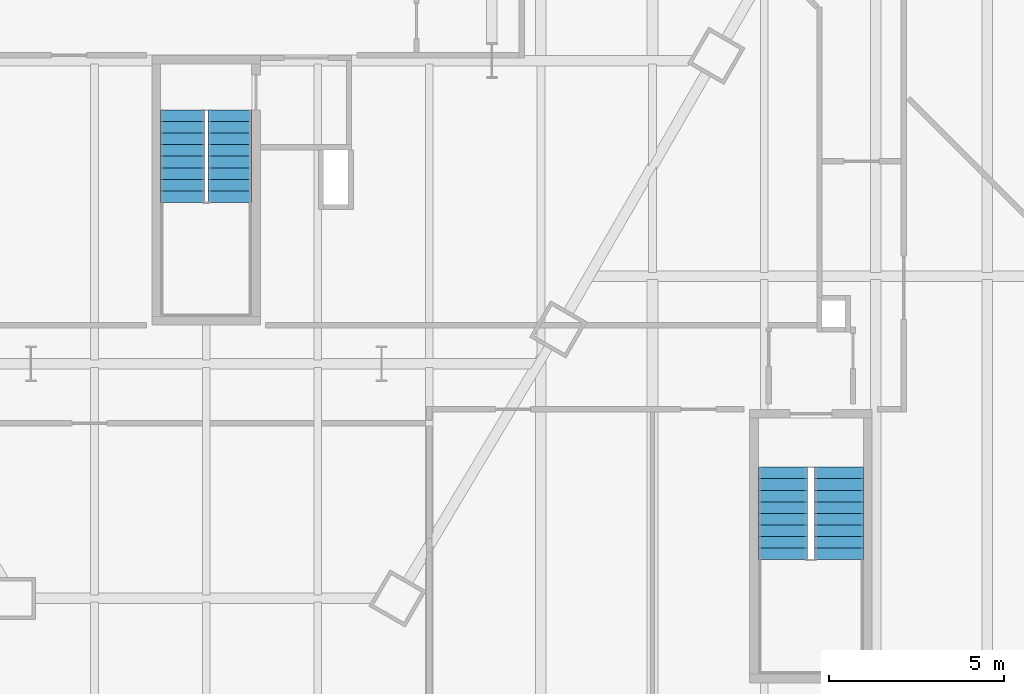
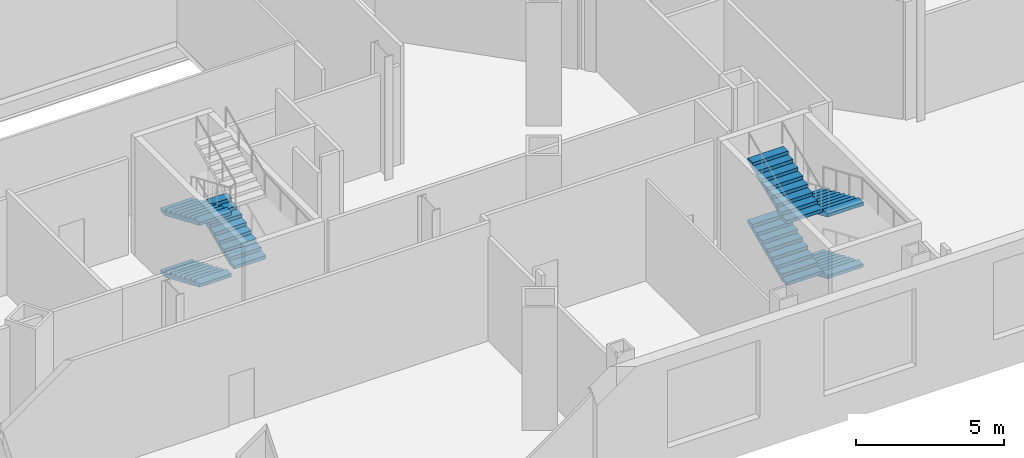
# One storey, part 17 of 21: 7 stair flights, 2 elements without a shape of their own.
"""IFC4 building model written with IfcOpenShell, lengths in metres."""

from ifc_helpers import new_model, si_unit, direction, frame, origin, place, context, subcontext, project, spatial, polygons, material, type_object, element, aggregate, save


model = new_model("IFC4")

# Units and contexts
model_context = context("Model", 3, precision=1e-05, world=origin(), true_north=direction((0.0, 1.0)))
body_context = subcontext(model_context, "Body", "Model", "MODEL_VIEW")
ifc_project = project(units=[si_unit("LENGTHUNIT", "METRE"), si_unit("AREAUNIT", "SQUARE_METRE"), si_unit("VOLUMEUNIT", "CUBIC_METRE"), si_unit("PLANEANGLEUNIT", "RADIAN"), si_unit("MASSUNIT", "GRAM", prefix="KILO")], contexts=[model_context])

# Site, building, storey
site_placement = place(None, origin())
site = spatial("IfcSite", under=ifc_project, at=site_placement, CompositionType="ELEMENT")
building_placement = place(site_placement, origin())
building = spatial("IfcBuilding", under=site, at=building_placement, Name="Njiva Tower", CompositionType="ELEMENT")
storey_placement = place(building_placement, frame((0.0, 0.0, 13.5)))
storey = spatial("IfcBuildingStorey", under=building, at=storey_placement, Name="L02", CompositionType="ELEMENT", Elevation=13.5)

# Stair, stair flights
ifc_material = material(Name="Concrete C40/50", Category="concrete")
stair_type_1 = type_object("IfcStairType", Name="ST1 Exit stair 1250", PredefinedType="HALF_TURN_STAIR", material=ifc_material)
stair_1_placement = place(storey_placement, origin())
stair_1 = element("IfcStair", 1, at=stair_1_placement, inside=storey, type_object=stair_type_1, Name="Stair C", PredefinedType="DOUBLE_RETURN_STAIR")
stair_flight_type_1 = type_object("IfcStairFlightType", Name="FL1 Stair flight 1250", PredefinedType="STRAIGHT", material=ifc_material)
stair_flight_1_placement = place(storey_placement, frame((-0.675, -15.16, 0.0), z_axis=(0.0, 0.0, 1.0), x_axis=(0.0, -1.0, 0.0)))
stair_flight_1 = element("IfcStairFlight", 2, at=stair_flight_1_placement, type_object=stair_flight_type_1, Name="ST-C flight 1", NumberOfRisers=9, NumberOfTreads=8, PredefinedType="STRAIGHT", RiserHeight=0.141666667, TreadLength=0.33, context=body_context, shape_type="Tessellation", body=[
    polygons([(0.0, 0.625, 0.0), (0.0, 0.3125, 0.0), (0.0, 0.0, 0.0), (0.0, -0.3125, 0.0), (0.0, -0.625, 0.0), (0.0, 0.625, 0.1417), (0.0, 0.3125, 0.1417), (0.0, 0.0, 0.1417), (0.0, -0.3125, 0.1417), (0.0, -0.625, 0.1417), (0.33, 0.625, 0.1417), (0.33, 0.3125, 0.1417), (0.33, 0.0, 0.1417), (0.33, -0.3125, 0.1417), (0.33, -0.625, 0.1417), (0.33, 0.625, 0.2833), (0.33, 0.3125, 0.2833), (0.33, 0.0, 0.2833), (0.33, -0.3125, 0.2833), (0.33, -0.625, 0.2833), (0.66, 0.625, 0.2833), (0.66, 0.3125, 0.2833), (0.66, 0.0, 0.2833), (0.66, -0.3125, 0.2833), (0.66, -0.625, 0.2833), (0.66, 0.625, 0.425), (0.66, 0.3125, 0.425), (0.66, 0.0, 0.425), (0.66, -0.3125, 0.425), (0.66, -0.625, 0.425), (0.99, 0.625, 0.425), (0.99, 0.3125, 0.425), (0.99, 0.0, 0.425), (0.99, -0.3125, 0.425), (0.99, -0.625, 0.425), (0.99, 0.625, 0.5667), (0.99, 0.3125, 0.5667), (0.99, 0.0, 0.5667), (0.99, -0.3125, 0.5667), (0.99, -0.625, 0.5667), (1.32, 0.625, 0.5667), (1.32, 0.3125, 0.5667), (1.32, 0.0, 0.5667), (1.32, -0.3125, 0.5667), (1.32, -0.625, 0.5667), (1.32, 0.625, 0.7083), (1.32, 0.3125, 0.7083), (1.32, 0.0, 0.7083), (1.32, -0.3125, 0.7083), (1.32, -0.625, 0.7083), (1.65, 0.625, 0.7083), (1.65, 0.3125, 0.7083), (1.65, 0.0, 0.7083), (1.65, -0.3125, 0.7083), (1.65, -0.625, 0.7083), (1.65, 0.625, 0.85), (1.65, 0.3125, 0.85), (1.65, 0.0, 0.85), (1.65, -0.3125, 0.85), (1.65, -0.625, 0.85), (1.98, 0.625, 0.85), (1.98, 0.3125, 0.85), (1.98, 0.0, 0.85), (1.98, -0.3125, 0.85), (1.98, -0.625, 0.85), (1.98, 0.625, 0.9917), (1.98, 0.3125, 0.9917), (1.98, 0.0, 0.9917), (1.98, -0.3125, 0.9917), (1.98, -0.625, 0.9917), (2.31, 0.625, 0.9917), (2.31, 0.3125, 0.9917), (2.31, 0.0, 0.9917), (2.31, -0.3125, 0.9917), (2.31, -0.625, 0.9917), (2.31, 0.625, 1.1333), (2.31, 0.3125, 1.1333), (2.31, 0.0, 1.1333), (2.31, -0.3125, 1.1333), (2.31, -0.625, 1.1333), (2.64, 0.625, 1.1333), (2.64, 0.3125, 1.1333), (2.64, 0.0, 1.1333), (2.64, -0.3125, 1.1333), (2.64, -0.625, 1.1333), (2.64, 0.625, 1.0027), (2.64, 0.3125, 1.0027), (2.64, 0.0, 1.0027), (2.64, -0.3125, 1.0027), (2.64, -0.625, 1.0027), (0.3042, 0.625, 0.0), (0.3042, 0.3125, 0.0), (0.3042, 0.0, 0.0), (0.3042, -0.3125, 0.0), (0.3042, -0.625, 0.0)], [[[1, 6, 11, 16, 21, 26, 31, 36, 41, 46, 51, 56, 61, 66, 71, 76, 81, 86, 91]], [[95, 90, 85, 80, 75, 70, 65, 60, 55, 50, 45, 40, 35, 30, 25, 20, 15, 10, 5]], [[6, 1, 2, 7]], [[7, 2, 3, 8]], [[8, 3, 4, 9]], [[9, 4, 5, 10]], [[11, 6, 7, 12]], [[12, 7, 8, 13]], [[13, 8, 9, 14]], [[14, 9, 10, 15]], [[16, 11, 12, 17]], [[17, 12, 13, 18]], [[18, 13, 14, 19]], [[19, 14, 15, 20]], [[21, 16, 17, 22]], [[22, 17, 18, 23]], [[23, 18, 19, 24]], [[24, 19, 20, 25]], [[26, 21, 22, 27]], [[27, 22, 23, 28]], [[28, 23, 24, 29]], [[29, 24, 25, 30]], [[31, 26, 27, 32]], [[32, 27, 28, 33]], [[33, 28, 29, 34]], [[34, 29, 30, 35]], [[36, 31, 32, 37]], [[37, 32, 33, 38]], [[38, 33, 34, 39]], [[39, 34, 35, 40]], [[41, 36, 37, 42]], [[42, 37, 38, 43]], [[43, 38, 39, 44]], [[44, 39, 40, 45]], [[46, 41, 42, 47]], [[47, 42, 43, 48]], [[48, 43, 44, 49]], [[49, 44, 45, 50]], [[51, 46, 47, 52]], [[52, 47, 48, 53]], [[53, 48, 49, 54]], [[54, 49, 50, 55]], [[56, 51, 52, 57]], [[57, 52, 53, 58]], [[58, 53, 54, 59]], [[59, 54, 55, 60]], [[61, 56, 57, 62]], [[62, 57, 58, 63]], [[63, 58, 59, 64]], [[64, 59, 60, 65]], [[66, 61, 62, 67]], [[67, 62, 63, 68]], [[68, 63, 64, 69]], [[69, 64, 65, 70]], [[71, 66, 67, 72]], [[72, 67, 68, 73]], [[73, 68, 69, 74]], [[74, 69, 70, 75]], [[76, 71, 72, 77]], [[77, 72, 73, 78]], [[78, 73, 74, 79]], [[79, 74, 75, 80]], [[81, 76, 77, 82]], [[82, 77, 78, 83]], [[83, 78, 79, 84]], [[84, 79, 80, 85]], [[86, 81, 82, 87]], [[87, 82, 83, 88]], [[88, 83, 84, 89]], [[89, 84, 85, 90]], [[91, 86, 87, 92]], [[92, 87, 88, 93]], [[93, 88, 89, 94]], [[94, 89, 90, 95]], [[1, 91, 92, 2]], [[2, 92, 93, 3]], [[3, 93, 94, 4]], [[4, 94, 95, 5]]], closed=True),
])
stair_flight_2_placement = place(storey_placement, frame((0.675, -17.8, 1.275), z_axis=(0.0, 0.0, 1.0), x_axis=(0.0, 1.0, 0.0)))
stair_flight_2 = element("IfcStairFlight", 3, at=stair_flight_2_placement, type_object=stair_flight_type_1, Name="ST-C flight 2", NumberOfRisers=9, NumberOfTreads=8, PredefinedType="STRAIGHT", RiserHeight=0.141666667, TreadLength=0.33, context=body_context, shape_type="Tessellation", body=[
    polygons([(0.0, 0.625, 0.0), (0.0, 0.3125, 0.0), (0.0, 0.0, 0.0), (0.0, -0.3125, 0.0), (0.0, -0.625, 0.0), (0.0, 0.625, 0.1417), (0.0, 0.3125, 0.1417), (0.0, 0.0, 0.1417), (0.0, -0.3125, 0.1417), (0.0, -0.625, 0.1417), (0.33, 0.625, 0.1417), (0.33, 0.3125, 0.1417), (0.33, 0.0, 0.1417), (0.33, -0.3125, 0.1417), (0.33, -0.625, 0.1417), (0.33, 0.625, 0.2833), (0.33, 0.3125, 0.2833), (0.33, 0.0, 0.2833), (0.33, -0.3125, 0.2833), (0.33, -0.625, 0.2833), (0.66, 0.625, 0.2833), (0.66, 0.3125, 0.2833), (0.66, 0.0, 0.2833), (0.66, -0.3125, 0.2833), (0.66, -0.625, 0.2833), (0.66, 0.625, 0.425), (0.66, 0.3125, 0.425), (0.66, 0.0, 0.425), (0.66, -0.3125, 0.425), (0.66, -0.625, 0.425), (0.99, 0.625, 0.425), (0.99, 0.3125, 0.425), (0.99, 0.0, 0.425), (0.99, -0.3125, 0.425), (0.99, -0.625, 0.425), (0.99, 0.625, 0.5667), (0.99, 0.3125, 0.5667), (0.99, 0.0, 0.5667), (0.99, -0.3125, 0.5667), (0.99, -0.625, 0.5667), (1.32, 0.625, 0.5667), (1.32, 0.3125, 0.5667), (1.32, 0.0, 0.5667), (1.32, -0.3125, 0.5667), (1.32, -0.625, 0.5667), (1.32, 0.625, 0.7083), (1.32, 0.3125, 0.7083), (1.32, 0.0, 0.7083), (1.32, -0.3125, 0.7083), (1.32, -0.625, 0.7083), (1.65, 0.625, 0.7083), (1.65, 0.3125, 0.7083), (1.65, 0.0, 0.7083), (1.65, -0.3125, 0.7083), (1.65, -0.625, 0.7083), (1.65, 0.625, 0.85), (1.65, 0.3125, 0.85), (1.65, 0.0, 0.85), (1.65, -0.3125, 0.85), (1.65, -0.625, 0.85), (1.98, 0.625, 0.85), (1.98, 0.3125, 0.85), (1.98, 0.0, 0.85), (1.98, -0.3125, 0.85), (1.98, -0.625, 0.85), (1.98, 0.625, 0.9917), (1.98, 0.3125, 0.9917), (1.98, 0.0, 0.9917), (1.98, -0.3125, 0.9917), (1.98, -0.625, 0.9917), (2.31, 0.625, 0.9917), (2.31, 0.3125, 0.9917), (2.31, 0.0, 0.9917), (2.31, -0.3125, 0.9917), (2.31, -0.625, 0.9917), (2.31, 0.625, 1.1333), (2.31, 0.3125, 1.1333), (2.31, 0.0, 1.1333), (2.31, -0.3125, 1.1333), (2.31, -0.625, 1.1333), (2.64, 0.625, 1.1333), (2.64, 0.3125, 1.1333), (2.64, 0.0, 1.1333), (2.64, -0.3125, 1.1333), (2.64, -0.625, 1.1333), (2.64, 0.625, 1.0027), (2.64, 0.3125, 1.0027), (2.64, 0.0, 1.0027), (2.64, -0.3125, 1.0027), (2.64, -0.625, 1.0027), (0.3042, 0.625, 0.0), (0.3042, 0.3125, 0.0), (0.3042, 0.0, 0.0), (0.3042, -0.3125, 0.0), (0.3042, -0.625, 0.0)], [[[1, 6, 11, 16, 21, 26, 31, 36, 41, 46, 51, 56, 61, 66, 71, 76, 81, 86, 91]], [[95, 90, 85, 80, 75, 70, 65, 60, 55, 50, 45, 40, 35, 30, 25, 20, 15, 10, 5]], [[6, 1, 2, 7]], [[7, 2, 3, 8]], [[8, 3, 4, 9]], [[9, 4, 5, 10]], [[11, 6, 7, 12]], [[12, 7, 8, 13]], [[13, 8, 9, 14]], [[14, 9, 10, 15]], [[16, 11, 12, 17]], [[17, 12, 13, 18]], [[18, 13, 14, 19]], [[19, 14, 15, 20]], [[21, 16, 17, 22]], [[22, 17, 18, 23]], [[23, 18, 19, 24]], [[24, 19, 20, 25]], [[26, 21, 22, 27]], [[27, 22, 23, 28]], [[28, 23, 24, 29]], [[29, 24, 25, 30]], [[31, 26, 27, 32]], [[32, 27, 28, 33]], [[33, 28, 29, 34]], [[34, 29, 30, 35]], [[36, 31, 32, 37]], [[37, 32, 33, 38]], [[38, 33, 34, 39]], [[39, 34, 35, 40]], [[41, 36, 37, 42]], [[42, 37, 38, 43]], [[43, 38, 39, 44]], [[44, 39, 40, 45]], [[46, 41, 42, 47]], [[47, 42, 43, 48]], [[48, 43, 44, 49]], [[49, 44, 45, 50]], [[51, 46, 47, 52]], [[52, 47, 48, 53]], [[53, 48, 49, 54]], [[54, 49, 50, 55]], [[56, 51, 52, 57]], [[57, 52, 53, 58]], [[58, 53, 54, 59]], [[59, 54, 55, 60]], [[61, 56, 57, 62]], [[62, 57, 58, 63]], [[63, 58, 59, 64]], [[64, 59, 60, 65]], [[66, 61, 62, 67]], [[67, 62, 63, 68]], [[68, 63, 64, 69]], [[69, 64, 65, 70]], [[71, 66, 67, 72]], [[72, 67, 68, 73]], [[73, 68, 69, 74]], [[74, 69, 70, 75]], [[76, 71, 72, 77]], [[77, 72, 73, 78]], [[78, 73, 74, 79]], [[79, 74, 75, 80]], [[81, 76, 77, 82]], [[82, 77, 78, 83]], [[83, 78, 79, 84]], [[84, 79, 80, 85]], [[86, 81, 82, 87]], [[87, 82, 83, 88]], [[88, 83, 84, 89]], [[89, 84, 85, 90]], [[91, 86, 87, 92]], [[92, 87, 88, 93]], [[93, 88, 89, 94]], [[94, 89, 90, 95]], [[1, 91, 92, 2]], [[2, 92, 93, 3]], [[3, 93, 94, 4]], [[4, 94, 95, 5]]], closed=True),
])
stair_flight_3_placement = place(storey_placement, frame((-0.675, -15.16, 2.55), z_axis=(0.0, 0.0, 1.0), x_axis=(0.0, -1.0, 0.0)))
stair_flight_3 = element("IfcStairFlight", 4, at=stair_flight_3_placement, type_object=stair_flight_type_1, Name="ST-C flight 3", NumberOfRisers=9, NumberOfTreads=8, PredefinedType="STRAIGHT", RiserHeight=0.141666667, TreadLength=0.33, context=body_context, shape_type="Tessellation", body=[
    polygons([(0.0, 0.625, 0.0), (0.0, 0.3125, 0.0), (0.0, 0.0, 0.0), (0.0, -0.3125, 0.0), (0.0, -0.625, 0.0), (0.0, 0.625, 0.1417), (0.0, 0.3125, 0.1417), (0.0, 0.0, 0.1417), (0.0, -0.3125, 0.1417), (0.0, -0.625, 0.1417), (0.33, 0.625, 0.1417), (0.33, 0.3125, 0.1417), (0.33, 0.0, 0.1417), (0.33, -0.3125, 0.1417), (0.33, -0.625, 0.1417), (0.33, 0.625, 0.2833), (0.33, 0.3125, 0.2833), (0.33, 0.0, 0.2833), (0.33, -0.3125, 0.2833), (0.33, -0.625, 0.2833), (0.66, 0.625, 0.2833), (0.66, 0.3125, 0.2833), (0.66, 0.0, 0.2833), (0.66, -0.3125, 0.2833), (0.66, -0.625, 0.2833), (0.66, 0.625, 0.425), (0.66, 0.3125, 0.425), (0.66, 0.0, 0.425), (0.66, -0.3125, 0.425), (0.66, -0.625, 0.425), (0.99, 0.625, 0.425), (0.99, 0.3125, 0.425), (0.99, 0.0, 0.425), (0.99, -0.3125, 0.425), (0.99, -0.625, 0.425), (0.99, 0.625, 0.5667), (0.99, 0.3125, 0.5667), (0.99, 0.0, 0.5667), (0.99, -0.3125, 0.5667), (0.99, -0.625, 0.5667), (1.32, 0.625, 0.5667), (1.32, 0.3125, 0.5667), (1.32, 0.0, 0.5667), (1.32, -0.3125, 0.5667), (1.32, -0.625, 0.5667), (1.32, 0.625, 0.7083), (1.32, 0.3125, 0.7083), (1.32, 0.0, 0.7083), (1.32, -0.3125, 0.7083), (1.32, -0.625, 0.7083), (1.65, 0.625, 0.7083), (1.65, 0.3125, 0.7083), (1.65, 0.0, 0.7083), (1.65, -0.3125, 0.7083), (1.65, -0.625, 0.7083), (1.65, 0.625, 0.85), (1.65, 0.3125, 0.85), (1.65, 0.0, 0.85), (1.65, -0.3125, 0.85), (1.65, -0.625, 0.85), (1.98, 0.625, 0.85), (1.98, 0.3125, 0.85), (1.98, 0.0, 0.85), (1.98, -0.3125, 0.85), (1.98, -0.625, 0.85), (1.98, 0.625, 0.9917), (1.98, 0.3125, 0.9917), (1.98, 0.0, 0.9917), (1.98, -0.3125, 0.9917), (1.98, -0.625, 0.9917), (2.31, 0.625, 0.9917), (2.31, 0.3125, 0.9917), (2.31, 0.0, 0.9917), (2.31, -0.3125, 0.9917), (2.31, -0.625, 0.9917), (2.31, 0.625, 1.1333), (2.31, 0.3125, 1.1333), (2.31, 0.0, 1.1333), (2.31, -0.3125, 1.1333), (2.31, -0.625, 1.1333), (2.64, 0.625, 1.1333), (2.64, 0.3125, 1.1333), (2.64, 0.0, 1.1333), (2.64, -0.3125, 1.1333), (2.64, -0.625, 1.1333), (2.64, 0.625, 1.0027), (2.64, 0.3125, 1.0027), (2.64, 0.0, 1.0027), (2.64, -0.3125, 1.0027), (2.64, -0.625, 1.0027), (0.3042, 0.625, 0.0), (0.3042, 0.3125, 0.0), (0.3042, 0.0, 0.0), (0.3042, -0.3125, 0.0), (0.3042, -0.625, 0.0)], [[[1, 6, 11, 16, 21, 26, 31, 36, 41, 46, 51, 56, 61, 66, 71, 76, 81, 86, 91]], [[95, 90, 85, 80, 75, 70, 65, 60, 55, 50, 45, 40, 35, 30, 25, 20, 15, 10, 5]], [[6, 1, 2, 7]], [[7, 2, 3, 8]], [[8, 3, 4, 9]], [[9, 4, 5, 10]], [[11, 6, 7, 12]], [[12, 7, 8, 13]], [[13, 8, 9, 14]], [[14, 9, 10, 15]], [[16, 11, 12, 17]], [[17, 12, 13, 18]], [[18, 13, 14, 19]], [[19, 14, 15, 20]], [[21, 16, 17, 22]], [[22, 17, 18, 23]], [[23, 18, 19, 24]], [[24, 19, 20, 25]], [[26, 21, 22, 27]], [[27, 22, 23, 28]], [[28, 23, 24, 29]], [[29, 24, 25, 30]], [[31, 26, 27, 32]], [[32, 27, 28, 33]], [[33, 28, 29, 34]], [[34, 29, 30, 35]], [[36, 31, 32, 37]], [[37, 32, 33, 38]], [[38, 33, 34, 39]], [[39, 34, 35, 40]], [[41, 36, 37, 42]], [[42, 37, 38, 43]], [[43, 38, 39, 44]], [[44, 39, 40, 45]], [[46, 41, 42, 47]], [[47, 42, 43, 48]], [[48, 43, 44, 49]], [[49, 44, 45, 50]], [[51, 46, 47, 52]], [[52, 47, 48, 53]], [[53, 48, 49, 54]], [[54, 49, 50, 55]], [[56, 51, 52, 57]], [[57, 52, 53, 58]], [[58, 53, 54, 59]], [[59, 54, 55, 60]], [[61, 56, 57, 62]], [[62, 57, 58, 63]], [[63, 58, 59, 64]], [[64, 59, 60, 65]], [[66, 61, 62, 67]], [[67, 62, 63, 68]], [[68, 63, 64, 69]], [[69, 64, 65, 70]], [[71, 66, 67, 72]], [[72, 67, 68, 73]], [[73, 68, 69, 74]], [[74, 69, 70, 75]], [[76, 71, 72, 77]], [[77, 72, 73, 78]], [[78, 73, 74, 79]], [[79, 74, 75, 80]], [[81, 76, 77, 82]], [[82, 77, 78, 83]], [[83, 78, 79, 84]], [[84, 79, 80, 85]], [[86, 81, 82, 87]], [[87, 82, 83, 88]], [[88, 83, 84, 89]], [[89, 84, 85, 90]], [[91, 86, 87, 92]], [[92, 87, 88, 93]], [[93, 88, 89, 94]], [[94, 89, 90, 95]], [[1, 91, 92, 2]], [[2, 92, 93, 3]], [[3, 93, 94, 4]], [[4, 94, 95, 5]]], closed=True),
])
aggregate(stair_1, [stair_flight_1, stair_flight_2, stair_flight_3])

stair_type_2 = type_object("IfcStairType", Name="ST2 Exit stair 1400", PredefinedType="HALF_TURN_STAIR", material=ifc_material)
stair_2_placement = place(storey_placement, origin())
stair_2 = element("IfcStair", 5, at=stair_2_placement, inside=storey, type_object=stair_type_2, Name="Stair E", PredefinedType="DOUBLE_RETURN_STAIR")
stair_flight_type_2 = type_object("IfcStairFlightType", Name="FL2 Stair flight 1400", PredefinedType="STRAIGHT", material=ifc_material)
stair_flight_4_placement = place(storey_placement, frame((18.05, -25.35, 0.0), z_axis=(0.0, 0.0, 1.0), x_axis=(0.0, -1.0, 0.0)))
stair_flight_4 = element("IfcStairFlight", 6, at=stair_flight_4_placement, type_object=stair_flight_type_2, Name="ST-E flight 1", NumberOfRisers=9, NumberOfTreads=8, PredefinedType="STRAIGHT", RiserHeight=0.141666667, TreadLength=0.33, context=body_context, shape_type="Tessellation", body=[
    polygons([(0.0, 0.7, 0.0), (0.0, 0.35, 0.0), (0.0, 0.0, 0.0), (0.0, -0.35, 0.0), (0.0, -0.7, 0.0), (0.0, 0.7, 0.1417), (0.0, 0.35, 0.1417), (0.0, 0.0, 0.1417), (0.0, -0.35, 0.1417), (0.0, -0.7, 0.1417), (0.33, 0.7, 0.1417), (0.33, 0.35, 0.1417), (0.33, 0.0, 0.1417), (0.33, -0.35, 0.1417), (0.33, -0.7, 0.1417), (0.33, 0.7, 0.2833), (0.33, 0.35, 0.2833), (0.33, 0.0, 0.2833), (0.33, -0.35, 0.2833), (0.33, -0.7, 0.2833), (0.66, 0.7, 0.2833), (0.66, 0.35, 0.2833), (0.66, 0.0, 0.2833), (0.66, -0.35, 0.2833), (0.66, -0.7, 0.2833), (0.66, 0.7, 0.425), (0.66, 0.35, 0.425), (0.66, 0.0, 0.425), (0.66, -0.35, 0.425), (0.66, -0.7, 0.425), (0.99, 0.7, 0.425), (0.99, 0.35, 0.425), (0.99, 0.0, 0.425), (0.99, -0.35, 0.425), (0.99, -0.7, 0.425), (0.99, 0.7, 0.5667), (0.99, 0.35, 0.5667), (0.99, 0.0, 0.5667), (0.99, -0.35, 0.5667), (0.99, -0.7, 0.5667), (1.32, 0.7, 0.5667), (1.32, 0.35, 0.5667), (1.32, 0.0, 0.5667), (1.32, -0.35, 0.5667), (1.32, -0.7, 0.5667), (1.32, 0.7, 0.7083), (1.32, 0.35, 0.7083), (1.32, 0.0, 0.7083), (1.32, -0.35, 0.7083), (1.32, -0.7, 0.7083), (1.65, 0.7, 0.7083), (1.65, 0.35, 0.7083), (1.65, 0.0, 0.7083), (1.65, -0.35, 0.7083), (1.65, -0.7, 0.7083), (1.65, 0.7, 0.85), (1.65, 0.35, 0.85), (1.65, 0.0, 0.85), (1.65, -0.35, 0.85), (1.65, -0.7, 0.85), (1.98, 0.7, 0.85), (1.98, 0.35, 0.85), (1.98, 0.0, 0.85), (1.98, -0.35, 0.85), (1.98, -0.7, 0.85), (1.98, 0.7, 0.9917), (1.98, 0.35, 0.9917), (1.98, 0.0, 0.9917), (1.98, -0.35, 0.9917), (1.98, -0.7, 0.9917), (2.31, 0.7, 0.9917), (2.31, 0.35, 0.9917), (2.31, 0.0, 0.9917), (2.31, -0.35, 0.9917), (2.31, -0.7, 0.9917), (2.31, 0.7, 1.1333), (2.31, 0.35, 1.1333), (2.31, 0.0, 1.1333), (2.31, -0.35, 1.1333), (2.31, -0.7, 1.1333), (2.64, 0.7, 1.1333), (2.64, 0.35, 1.1333), (2.64, 0.0, 1.1333), (2.64, -0.35, 1.1333), (2.64, -0.7, 1.1333), (2.64, 0.7, 1.0027), (2.64, 0.35, 1.0027), (2.64, 0.0, 1.0027), (2.64, -0.35, 1.0027), (2.64, -0.7, 1.0027), (0.3042, 0.7, 0.0), (0.3042, 0.35, 0.0), (0.3042, 0.0, 0.0), (0.3042, -0.35, 0.0), (0.3042, -0.7, 0.0)], [[[1, 6, 11, 16, 21, 26, 31, 36, 41, 46, 51, 56, 61, 66, 71, 76, 81, 86, 91]], [[95, 90, 85, 80, 75, 70, 65, 60, 55, 50, 45, 40, 35, 30, 25, 20, 15, 10, 5]], [[6, 1, 2, 7]], [[7, 2, 3, 8]], [[8, 3, 4, 9]], [[9, 4, 5, 10]], [[11, 6, 7, 12]], [[12, 7, 8, 13]], [[13, 8, 9, 14]], [[14, 9, 10, 15]], [[16, 11, 12, 17]], [[17, 12, 13, 18]], [[18, 13, 14, 19]], [[19, 14, 15, 20]], [[21, 16, 17, 22]], [[22, 17, 18, 23]], [[23, 18, 19, 24]], [[24, 19, 20, 25]], [[26, 21, 22, 27]], [[27, 22, 23, 28]], [[28, 23, 24, 29]], [[29, 24, 25, 30]], [[31, 26, 27, 32]], [[32, 27, 28, 33]], [[33, 28, 29, 34]], [[34, 29, 30, 35]], [[36, 31, 32, 37]], [[37, 32, 33, 38]], [[38, 33, 34, 39]], [[39, 34, 35, 40]], [[41, 36, 37, 42]], [[42, 37, 38, 43]], [[43, 38, 39, 44]], [[44, 39, 40, 45]], [[46, 41, 42, 47]], [[47, 42, 43, 48]], [[48, 43, 44, 49]], [[49, 44, 45, 50]], [[51, 46, 47, 52]], [[52, 47, 48, 53]], [[53, 48, 49, 54]], [[54, 49, 50, 55]], [[56, 51, 52, 57]], [[57, 52, 53, 58]], [[58, 53, 54, 59]], [[59, 54, 55, 60]], [[61, 56, 57, 62]], [[62, 57, 58, 63]], [[63, 58, 59, 64]], [[64, 59, 60, 65]], [[66, 61, 62, 67]], [[67, 62, 63, 68]], [[68, 63, 64, 69]], [[69, 64, 65, 70]], [[71, 66, 67, 72]], [[72, 67, 68, 73]], [[73, 68, 69, 74]], [[74, 69, 70, 75]], [[76, 71, 72, 77]], [[77, 72, 73, 78]], [[78, 73, 74, 79]], [[79, 74, 75, 80]], [[81, 76, 77, 82]], [[82, 77, 78, 83]], [[83, 78, 79, 84]], [[84, 79, 80, 85]], [[86, 81, 82, 87]], [[87, 82, 83, 88]], [[88, 83, 84, 89]], [[89, 84, 85, 90]], [[91, 86, 87, 92]], [[92, 87, 88, 93]], [[93, 88, 89, 94]], [[94, 89, 90, 95]], [[1, 91, 92, 2]], [[2, 92, 93, 3]], [[3, 93, 94, 4]], [[4, 94, 95, 5]]], closed=True),
])
stair_flight_5_placement = place(storey_placement, frame((16.45, -27.99, 1.275), z_axis=(0.0, 0.0, 1.0), x_axis=(0.0, 1.0, 0.0)))
stair_flight_5 = element("IfcStairFlight", 7, at=stair_flight_5_placement, type_object=stair_flight_type_2, Name="ST-E flight 2", NumberOfRisers=9, NumberOfTreads=8, PredefinedType="STRAIGHT", RiserHeight=0.141666667, TreadLength=0.33, context=body_context, shape_type="Tessellation", body=[
    polygons([(0.0, 0.7, 0.0), (0.0, 0.35, 0.0), (0.0, 0.0, 0.0), (0.0, -0.35, 0.0), (0.0, -0.7, 0.0), (0.0, 0.7, 0.1417), (0.0, 0.35, 0.1417), (0.0, 0.0, 0.1417), (0.0, -0.35, 0.1417), (0.0, -0.7, 0.1417), (0.33, 0.7, 0.1417), (0.33, 0.35, 0.1417), (0.33, 0.0, 0.1417), (0.33, -0.35, 0.1417), (0.33, -0.7, 0.1417), (0.33, 0.7, 0.2833), (0.33, 0.35, 0.2833), (0.33, 0.0, 0.2833), (0.33, -0.35, 0.2833), (0.33, -0.7, 0.2833), (0.66, 0.7, 0.2833), (0.66, 0.35, 0.2833), (0.66, 0.0, 0.2833), (0.66, -0.35, 0.2833), (0.66, -0.7, 0.2833), (0.66, 0.7, 0.425), (0.66, 0.35, 0.425), (0.66, 0.0, 0.425), (0.66, -0.35, 0.425), (0.66, -0.7, 0.425), (0.99, 0.7, 0.425), (0.99, 0.35, 0.425), (0.99, 0.0, 0.425), (0.99, -0.35, 0.425), (0.99, -0.7, 0.425), (0.99, 0.7, 0.5667), (0.99, 0.35, 0.5667), (0.99, 0.0, 0.5667), (0.99, -0.35, 0.5667), (0.99, -0.7, 0.5667), (1.32, 0.7, 0.5667), (1.32, 0.35, 0.5667), (1.32, 0.0, 0.5667), (1.32, -0.35, 0.5667), (1.32, -0.7, 0.5667), (1.32, 0.7, 0.7083), (1.32, 0.35, 0.7083), (1.32, 0.0, 0.7083), (1.32, -0.35, 0.7083), (1.32, -0.7, 0.7083), (1.65, 0.7, 0.7083), (1.65, 0.35, 0.7083), (1.65, 0.0, 0.7083), (1.65, -0.35, 0.7083), (1.65, -0.7, 0.7083), (1.65, 0.7, 0.85), (1.65, 0.35, 0.85), (1.65, 0.0, 0.85), (1.65, -0.35, 0.85), (1.65, -0.7, 0.85), (1.98, 0.7, 0.85), (1.98, 0.35, 0.85), (1.98, 0.0, 0.85), (1.98, -0.35, 0.85), (1.98, -0.7, 0.85), (1.98, 0.7, 0.9917), (1.98, 0.35, 0.9917), (1.98, 0.0, 0.9917), (1.98, -0.35, 0.9917), (1.98, -0.7, 0.9917), (2.31, 0.7, 0.9917), (2.31, 0.35, 0.9917), (2.31, 0.0, 0.9917), (2.31, -0.35, 0.9917), (2.31, -0.7, 0.9917), (2.31, 0.7, 1.1333), (2.31, 0.35, 1.1333), (2.31, 0.0, 1.1333), (2.31, -0.35, 1.1333), (2.31, -0.7, 1.1333), (2.64, 0.7, 1.1333), (2.64, 0.35, 1.1333), (2.64, 0.0, 1.1333), (2.64, -0.35, 1.1333), (2.64, -0.7, 1.1333), (2.64, 0.7, 1.0027), (2.64, 0.35, 1.0027), (2.64, 0.0, 1.0027), (2.64, -0.35, 1.0027), (2.64, -0.7, 1.0027), (0.3042, 0.7, 0.0), (0.3042, 0.35, 0.0), (0.3042, 0.0, 0.0), (0.3042, -0.35, 0.0), (0.3042, -0.7, 0.0)], [[[1, 6, 11, 16, 21, 26, 31, 36, 41, 46, 51, 56, 61, 66, 71, 76, 81, 86, 91]], [[95, 90, 85, 80, 75, 70, 65, 60, 55, 50, 45, 40, 35, 30, 25, 20, 15, 10, 5]], [[6, 1, 2, 7]], [[7, 2, 3, 8]], [[8, 3, 4, 9]], [[9, 4, 5, 10]], [[11, 6, 7, 12]], [[12, 7, 8, 13]], [[13, 8, 9, 14]], [[14, 9, 10, 15]], [[16, 11, 12, 17]], [[17, 12, 13, 18]], [[18, 13, 14, 19]], [[19, 14, 15, 20]], [[21, 16, 17, 22]], [[22, 17, 18, 23]], [[23, 18, 19, 24]], [[24, 19, 20, 25]], [[26, 21, 22, 27]], [[27, 22, 23, 28]], [[28, 23, 24, 29]], [[29, 24, 25, 30]], [[31, 26, 27, 32]], [[32, 27, 28, 33]], [[33, 28, 29, 34]], [[34, 29, 30, 35]], [[36, 31, 32, 37]], [[37, 32, 33, 38]], [[38, 33, 34, 39]], [[39, 34, 35, 40]], [[41, 36, 37, 42]], [[42, 37, 38, 43]], [[43, 38, 39, 44]], [[44, 39, 40, 45]], [[46, 41, 42, 47]], [[47, 42, 43, 48]], [[48, 43, 44, 49]], [[49, 44, 45, 50]], [[51, 46, 47, 52]], [[52, 47, 48, 53]], [[53, 48, 49, 54]], [[54, 49, 50, 55]], [[56, 51, 52, 57]], [[57, 52, 53, 58]], [[58, 53, 54, 59]], [[59, 54, 55, 60]], [[61, 56, 57, 62]], [[62, 57, 58, 63]], [[63, 58, 59, 64]], [[64, 59, 60, 65]], [[66, 61, 62, 67]], [[67, 62, 63, 68]], [[68, 63, 64, 69]], [[69, 64, 65, 70]], [[71, 66, 67, 72]], [[72, 67, 68, 73]], [[73, 68, 69, 74]], [[74, 69, 70, 75]], [[76, 71, 72, 77]], [[77, 72, 73, 78]], [[78, 73, 74, 79]], [[79, 74, 75, 80]], [[81, 76, 77, 82]], [[82, 77, 78, 83]], [[83, 78, 79, 84]], [[84, 79, 80, 85]], [[86, 81, 82, 87]], [[87, 82, 83, 88]], [[88, 83, 84, 89]], [[89, 84, 85, 90]], [[91, 86, 87, 92]], [[92, 87, 88, 93]], [[93, 88, 89, 94]], [[94, 89, 90, 95]], [[1, 91, 92, 2]], [[2, 92, 93, 3]], [[3, 93, 94, 4]], [[4, 94, 95, 5]]], closed=True),
])
stair_flight_6_placement = place(storey_placement, frame((18.05, -25.35, 2.55), z_axis=(0.0, 0.0, 1.0), x_axis=(0.0, -1.0, 0.0)))
stair_flight_6 = element("IfcStairFlight", 8, at=stair_flight_6_placement, type_object=stair_flight_type_2, Name="ST-E flight 3", NumberOfRisers=9, NumberOfTreads=8, PredefinedType="STRAIGHT", RiserHeight=0.141666667, TreadLength=0.33, context=body_context, shape_type="Tessellation", body=[
    polygons([(0.0, 0.7, 0.0), (0.0, 0.35, 0.0), (0.0, 0.0, 0.0), (0.0, -0.35, 0.0), (0.0, -0.7, 0.0), (0.0, 0.7, 0.1417), (0.0, 0.35, 0.1417), (0.0, 0.0, 0.1417), (0.0, -0.35, 0.1417), (0.0, -0.7, 0.1417), (0.33, 0.7, 0.1417), (0.33, 0.35, 0.1417), (0.33, 0.0, 0.1417), (0.33, -0.35, 0.1417), (0.33, -0.7, 0.1417), (0.33, 0.7, 0.2833), (0.33, 0.35, 0.2833), (0.33, 0.0, 0.2833), (0.33, -0.35, 0.2833), (0.33, -0.7, 0.2833), (0.66, 0.7, 0.2833), (0.66, 0.35, 0.2833), (0.66, 0.0, 0.2833), (0.66, -0.35, 0.2833), (0.66, -0.7, 0.2833), (0.66, 0.7, 0.425), (0.66, 0.35, 0.425), (0.66, 0.0, 0.425), (0.66, -0.35, 0.425), (0.66, -0.7, 0.425), (0.99, 0.7, 0.425), (0.99, 0.35, 0.425), (0.99, 0.0, 0.425), (0.99, -0.35, 0.425), (0.99, -0.7, 0.425), (0.99, 0.7, 0.5667), (0.99, 0.35, 0.5667), (0.99, 0.0, 0.5667), (0.99, -0.35, 0.5667), (0.99, -0.7, 0.5667), (1.32, 0.7, 0.5667), (1.32, 0.35, 0.5667), (1.32, 0.0, 0.5667), (1.32, -0.35, 0.5667), (1.32, -0.7, 0.5667), (1.32, 0.7, 0.7083), (1.32, 0.35, 0.7083), (1.32, 0.0, 0.7083), (1.32, -0.35, 0.7083), (1.32, -0.7, 0.7083), (1.65, 0.7, 0.7083), (1.65, 0.35, 0.7083), (1.65, 0.0, 0.7083), (1.65, -0.35, 0.7083), (1.65, -0.7, 0.7083), (1.65, 0.7, 0.85), (1.65, 0.35, 0.85), (1.65, 0.0, 0.85), (1.65, -0.35, 0.85), (1.65, -0.7, 0.85), (1.98, 0.7, 0.85), (1.98, 0.35, 0.85), (1.98, 0.0, 0.85), (1.98, -0.35, 0.85), (1.98, -0.7, 0.85), (1.98, 0.7, 0.9917), (1.98, 0.35, 0.9917), (1.98, 0.0, 0.9917), (1.98, -0.35, 0.9917), (1.98, -0.7, 0.9917), (2.31, 0.7, 0.9917), (2.31, 0.35, 0.9917), (2.31, 0.0, 0.9917), (2.31, -0.35, 0.9917), (2.31, -0.7, 0.9917), (2.31, 0.7, 1.1333), (2.31, 0.35, 1.1333), (2.31, 0.0, 1.1333), (2.31, -0.35, 1.1333), (2.31, -0.7, 1.1333), (2.64, 0.7, 1.1333), (2.64, 0.35, 1.1333), (2.64, 0.0, 1.1333), (2.64, -0.35, 1.1333), (2.64, -0.7, 1.1333), (2.64, 0.7, 1.0027), (2.64, 0.35, 1.0027), (2.64, 0.0, 1.0027), (2.64, -0.35, 1.0027), (2.64, -0.7, 1.0027), (0.3042, 0.7, 0.0), (0.3042, 0.35, 0.0), (0.3042, 0.0, 0.0), (0.3042, -0.35, 0.0), (0.3042, -0.7, 0.0)], [[[1, 6, 11, 16, 21, 26, 31, 36, 41, 46, 51, 56, 61, 66, 71, 76, 81, 86, 91]], [[95, 90, 85, 80, 75, 70, 65, 60, 55, 50, 45, 40, 35, 30, 25, 20, 15, 10, 5]], [[6, 1, 2, 7]], [[7, 2, 3, 8]], [[8, 3, 4, 9]], [[9, 4, 5, 10]], [[11, 6, 7, 12]], [[12, 7, 8, 13]], [[13, 8, 9, 14]], [[14, 9, 10, 15]], [[16, 11, 12, 17]], [[17, 12, 13, 18]], [[18, 13, 14, 19]], [[19, 14, 15, 20]], [[21, 16, 17, 22]], [[22, 17, 18, 23]], [[23, 18, 19, 24]], [[24, 19, 20, 25]], [[26, 21, 22, 27]], [[27, 22, 23, 28]], [[28, 23, 24, 29]], [[29, 24, 25, 30]], [[31, 26, 27, 32]], [[32, 27, 28, 33]], [[33, 28, 29, 34]], [[34, 29, 30, 35]], [[36, 31, 32, 37]], [[37, 32, 33, 38]], [[38, 33, 34, 39]], [[39, 34, 35, 40]], [[41, 36, 37, 42]], [[42, 37, 38, 43]], [[43, 38, 39, 44]], [[44, 39, 40, 45]], [[46, 41, 42, 47]], [[47, 42, 43, 48]], [[48, 43, 44, 49]], [[49, 44, 45, 50]], [[51, 46, 47, 52]], [[52, 47, 48, 53]], [[53, 48, 49, 54]], [[54, 49, 50, 55]], [[56, 51, 52, 57]], [[57, 52, 53, 58]], [[58, 53, 54, 59]], [[59, 54, 55, 60]], [[61, 56, 57, 62]], [[62, 57, 58, 63]], [[63, 58, 59, 64]], [[64, 59, 60, 65]], [[66, 61, 62, 67]], [[67, 62, 63, 68]], [[68, 63, 64, 69]], [[69, 64, 65, 70]], [[71, 66, 67, 72]], [[72, 67, 68, 73]], [[73, 68, 69, 74]], [[74, 69, 70, 75]], [[76, 71, 72, 77]], [[77, 72, 73, 78]], [[78, 73, 74, 79]], [[79, 74, 75, 80]], [[81, 76, 77, 82]], [[82, 77, 78, 83]], [[83, 78, 79, 84]], [[84, 79, 80, 85]], [[86, 81, 82, 87]], [[87, 82, 83, 88]], [[88, 83, 84, 89]], [[89, 84, 85, 90]], [[91, 86, 87, 92]], [[92, 87, 88, 93]], [[93, 88, 89, 94]], [[94, 89, 90, 95]], [[1, 91, 92, 2]], [[2, 92, 93, 3]], [[3, 93, 94, 4]], [[4, 94, 95, 5]]], closed=True),
])
stair_flight_7_placement = place(storey_placement, frame((16.45, -27.99, 3.825), z_axis=(0.0, 0.0, 1.0), x_axis=(0.0, 1.0, 0.0)))
stair_flight_7 = element("IfcStairFlight", 9, at=stair_flight_7_placement, type_object=stair_flight_type_2, Name="ST-E flight 4", NumberOfRisers=9, NumberOfTreads=8, PredefinedType="STRAIGHT", RiserHeight=0.141666667, TreadLength=0.33, context=body_context, shape_type="Tessellation", body=[
    polygons([(0.0, 0.7, 0.0), (0.0, 0.35, 0.0), (0.0, 0.0, 0.0), (0.0, -0.35, 0.0), (0.0, -0.7, 0.0), (0.0, 0.7, 0.1417), (0.0, 0.35, 0.1417), (0.0, 0.0, 0.1417), (0.0, -0.35, 0.1417), (0.0, -0.7, 0.1417), (0.33, 0.7, 0.1417), (0.33, 0.35, 0.1417), (0.33, 0.0, 0.1417), (0.33, -0.35, 0.1417), (0.33, -0.7, 0.1417), (0.33, 0.7, 0.2833), (0.33, 0.35, 0.2833), (0.33, 0.0, 0.2833), (0.33, -0.35, 0.2833), (0.33, -0.7, 0.2833), (0.66, 0.7, 0.2833), (0.66, 0.35, 0.2833), (0.66, 0.0, 0.2833), (0.66, -0.35, 0.2833), (0.66, -0.7, 0.2833), (0.66, 0.7, 0.425), (0.66, 0.35, 0.425), (0.66, 0.0, 0.425), (0.66, -0.35, 0.425), (0.66, -0.7, 0.425), (0.99, 0.7, 0.425), (0.99, 0.35, 0.425), (0.99, 0.0, 0.425), (0.99, -0.35, 0.425), (0.99, -0.7, 0.425), (0.99, 0.7, 0.5667), (0.99, 0.35, 0.5667), (0.99, 0.0, 0.5667), (0.99, -0.35, 0.5667), (0.99, -0.7, 0.5667), (1.32, 0.7, 0.5667), (1.32, 0.35, 0.5667), (1.32, 0.0, 0.5667), (1.32, -0.35, 0.5667), (1.32, -0.7, 0.5667), (1.32, 0.7, 0.7083), (1.32, 0.35, 0.7083), (1.32, 0.0, 0.7083), (1.32, -0.35, 0.7083), (1.32, -0.7, 0.7083), (1.65, 0.7, 0.7083), (1.65, 0.35, 0.7083), (1.65, 0.0, 0.7083), (1.65, -0.35, 0.7083), (1.65, -0.7, 0.7083), (1.65, 0.7, 0.85), (1.65, 0.35, 0.85), (1.65, 0.0, 0.85), (1.65, -0.35, 0.85), (1.65, -0.7, 0.85), (1.98, 0.7, 0.85), (1.98, 0.35, 0.85), (1.98, 0.0, 0.85), (1.98, -0.35, 0.85), (1.98, -0.7, 0.85), (1.98, 0.7, 0.9917), (1.98, 0.35, 0.9917), (1.98, 0.0, 0.9917), (1.98, -0.35, 0.9917), (1.98, -0.7, 0.9917), (2.31, 0.7, 0.9917), (2.31, 0.35, 0.9917), (2.31, 0.0, 0.9917), (2.31, -0.35, 0.9917), (2.31, -0.7, 0.9917), (2.31, 0.7, 1.1333), (2.31, 0.35, 1.1333), (2.31, 0.0, 1.1333), (2.31, -0.35, 1.1333), (2.31, -0.7, 1.1333), (2.64, 0.7, 1.1333), (2.64, 0.35, 1.1333), (2.64, 0.0, 1.1333), (2.64, -0.35, 1.1333), (2.64, -0.7, 1.1333), (2.64, 0.7, 1.0027), (2.64, 0.35, 1.0027), (2.64, 0.0, 1.0027), (2.64, -0.35, 1.0027), (2.64, -0.7, 1.0027), (0.3042, 0.7, 0.0), (0.3042, 0.35, 0.0), (0.3042, 0.0, 0.0), (0.3042, -0.35, 0.0), (0.3042, -0.7, 0.0)], [[[1, 6, 11, 16, 21, 26, 31, 36, 41, 46, 51, 56, 61, 66, 71, 76, 81, 86, 91]], [[95, 90, 85, 80, 75, 70, 65, 60, 55, 50, 45, 40, 35, 30, 25, 20, 15, 10, 5]], [[6, 1, 2, 7]], [[7, 2, 3, 8]], [[8, 3, 4, 9]], [[9, 4, 5, 10]], [[11, 6, 7, 12]], [[12, 7, 8, 13]], [[13, 8, 9, 14]], [[14, 9, 10, 15]], [[16, 11, 12, 17]], [[17, 12, 13, 18]], [[18, 13, 14, 19]], [[19, 14, 15, 20]], [[21, 16, 17, 22]], [[22, 17, 18, 23]], [[23, 18, 19, 24]], [[24, 19, 20, 25]], [[26, 21, 22, 27]], [[27, 22, 23, 28]], [[28, 23, 24, 29]], [[29, 24, 25, 30]], [[31, 26, 27, 32]], [[32, 27, 28, 33]], [[33, 28, 29, 34]], [[34, 29, 30, 35]], [[36, 31, 32, 37]], [[37, 32, 33, 38]], [[38, 33, 34, 39]], [[39, 34, 35, 40]], [[41, 36, 37, 42]], [[42, 37, 38, 43]], [[43, 38, 39, 44]], [[44, 39, 40, 45]], [[46, 41, 42, 47]], [[47, 42, 43, 48]], [[48, 43, 44, 49]], [[49, 44, 45, 50]], [[51, 46, 47, 52]], [[52, 47, 48, 53]], [[53, 48, 49, 54]], [[54, 49, 50, 55]], [[56, 51, 52, 57]], [[57, 52, 53, 58]], [[58, 53, 54, 59]], [[59, 54, 55, 60]], [[61, 56, 57, 62]], [[62, 57, 58, 63]], [[63, 58, 59, 64]], [[64, 59, 60, 65]], [[66, 61, 62, 67]], [[67, 62, 63, 68]], [[68, 63, 64, 69]], [[69, 64, 65, 70]], [[71, 66, 67, 72]], [[72, 67, 68, 73]], [[73, 68, 69, 74]], [[74, 69, 70, 75]], [[76, 71, 72, 77]], [[77, 72, 73, 78]], [[78, 73, 74, 79]], [[79, 74, 75, 80]], [[81, 76, 77, 82]], [[82, 77, 78, 83]], [[83, 78, 79, 84]], [[84, 79, 80, 85]], [[86, 81, 82, 87]], [[87, 82, 83, 88]], [[88, 83, 84, 89]], [[89, 84, 85, 90]], [[91, 86, 87, 92]], [[92, 87, 88, 93]], [[93, 88, 89, 94]], [[94, 89, 90, 95]], [[1, 91, 92, 2]], [[2, 92, 93, 3]], [[3, 93, 94, 4]], [[4, 94, 95, 5]]], closed=True),
])
aggregate(stair_2, [stair_flight_4, stair_flight_5, stair_flight_6, stair_flight_7])

save(model, "model.ifc")
